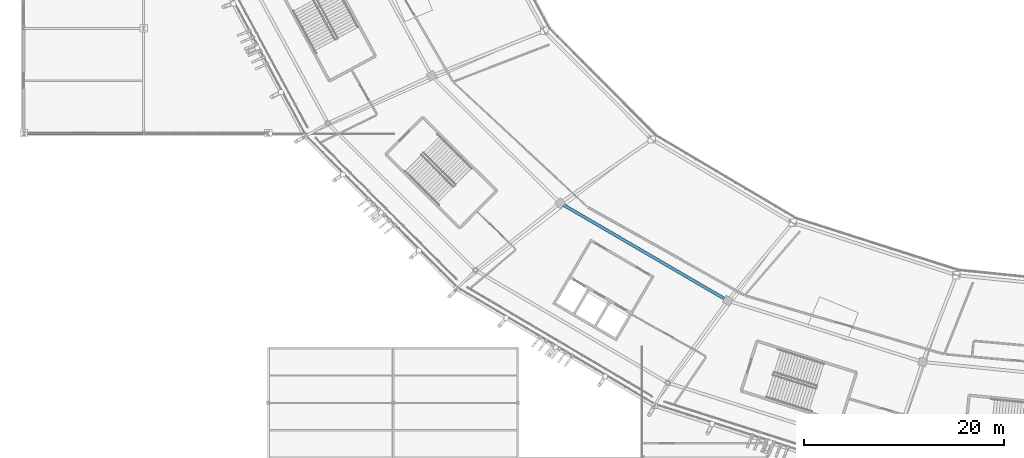
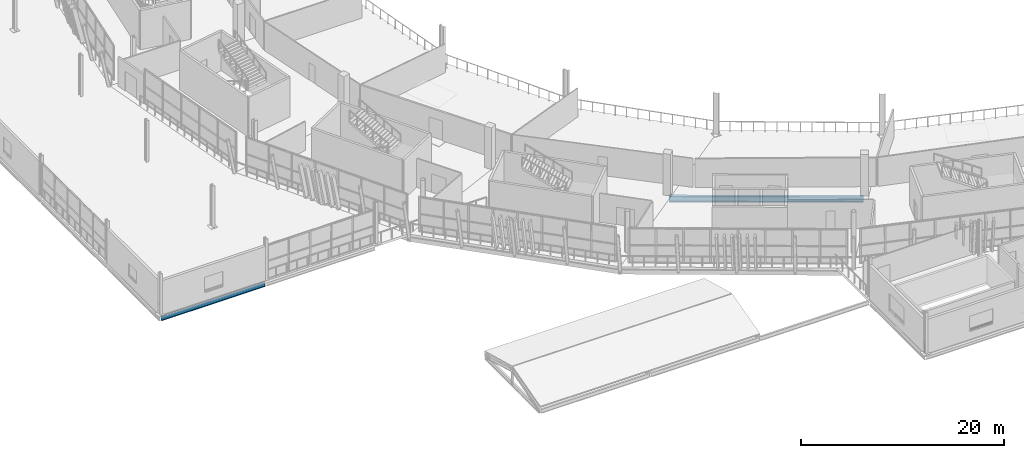
# One storey, part 26 of 179: 2 beams.
"""IFC4 building model written with IfcOpenShell, lengths in metres."""

from ifc_helpers import new_model, si_unit, direction, frame, origin, origin_2d, place, context, subcontext, project, spatial, i_section, extrude, material, material_profile, profile_set, type_object, element, save


model = new_model("IFC4")

# Units and contexts
model_context = context("Model", 3, precision=1e-05, world=origin(), true_north=direction((0.0, 1.0)))
body_context = subcontext(model_context, "Body", "Model", "MODEL_VIEW")
ifc_project = project(units=[si_unit("LENGTHUNIT", "METRE"), si_unit("AREAUNIT", "SQUARE_METRE"), si_unit("VOLUMEUNIT", "CUBIC_METRE"), si_unit("PLANEANGLEUNIT", "RADIAN"), si_unit("MASSUNIT", "GRAM", prefix="KILO")], contexts=[model_context])

# Site, building, storey
site_placement = place(None, origin())
site = spatial("IfcSite", under=ifc_project, at=site_placement, CompositionType="ELEMENT")
building_placement = place(site_placement, origin())
building = spatial("IfcBuilding", under=site, at=building_placement, Name="Zlatoyarsky Gate Stadium", CompositionType="ELEMENT")
storey_placement = place(building_placement, frame((0.0, 0.0, 10.60009765625)))
storey = spatial("IfcBuildingStorey", under=building, at=storey_placement, Name="L02", CompositionType="ELEMENT", Elevation=10.60009765625)

# Beams
ifc_material = material(Name="Steel S355", Category="steel")
ifc_material_profile_1 = material_profile(ifc_material, i_section(OverallWidth=0.199951171875, OverallDepth=0.5, WebThickness=0.01025390625, FlangeThickness=0.01611328125, FilletRadius=0.02099609375, at=origin_2d()), Name="IPE 500")
ifc_profile_set_1 = profile_set([ifc_material_profile_1], Name="Steel S355")
beam_type_1 = type_object("IfcBeamType", Name="STEEL FLOOR BEAM IPE 500", PredefinedType="BEAM", material=ifc_profile_set_1)
beam_1_placement = place(storey_placement, frame((0.080078125, 43.5, -0.530029296875), z_axis=(1.0, 0.0, 0.0), x_axis=(0.0, 1.0, 0.0)))
element("IfcBeam", 1, at=beam_1_placement, inside=storey, type_object=beam_type_1, Name="Beam B-IPE500 BM-L02-WGX-1-E", PredefinedType="BEAM", context=body_context, shape_type="SweptSolid", body=[
    extrude(i_section(OverallWidth=0.199951171875, OverallDepth=0.5, WebThickness=0.01025390625, FlangeThickness=0.01611328125, FilletRadius=0.02099609375, at=origin_2d()), origin(), (0.0, 0.0, 1.0), 11.83984375),
])
ifc_material_profile_2 = material_profile(ifc_material, i_section(OverallWidth=0.300048828125, OverallDepth=0.699951171875, WebThickness=0.01708984375, FlangeThickness=0.031982421875, FilletRadius=0.027099609375, at=origin_2d()), Name="HEB 700")
ifc_profile_set_2 = profile_set([ifc_material_profile_2], Name="Steel S355")
beam_type_2 = type_object("IfcBeamType", Name="STEEL PRIMARY GIRDER HEB 700", PredefinedType="BEAM", material=ifc_profile_set_2)
beam_2_placement = place(storey_placement, frame((53.828125, 36.452392578125, -0.630126953125), z_axis=(0.864054462945, -0.503398336375, 0.0), x_axis=(0.503398336375, 0.864054462945, 0.0)))
element("IfcBeam", 2, at=beam_2_placement, inside=storey, type_object=beam_type_2, Name="Beam G-HEB700 BM-L02-CRB-15", PredefinedType="BEAM", context=body_context, shape_type="SweptSolid", body=[
    extrude(i_section(OverallWidth=0.300048828125, OverallDepth=0.699951171875, WebThickness=0.01708984375, FlangeThickness=0.031982421875, FilletRadius=0.027099609375, at=origin_2d()), origin(), (0.0, 0.0, 1.0), 19.1748046875),
])

save(model, "model.ifc")
